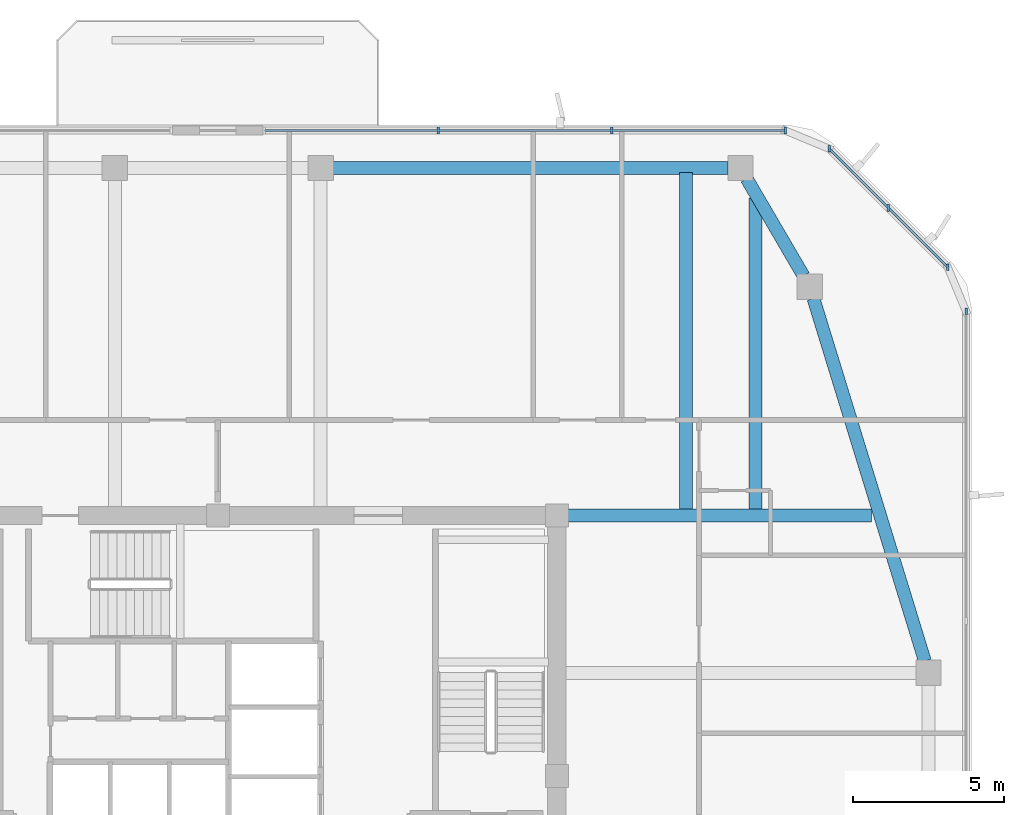
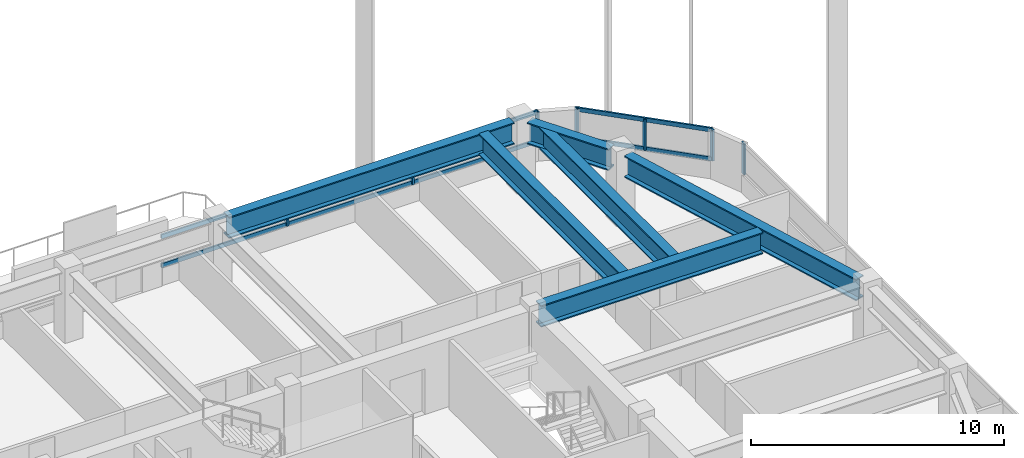
# One storey, part 5 of 13: 11 members, 6 beams, 3 elements without a shape of their own.
"""IFC4 building model written with IfcOpenShell, lengths in metres."""

from ifc_helpers import new_model, si_unit, derived_unit, direction, frame, origin, origin_2d, place, context, subcontext, project, spatial, rectangle, i_section, extrude, material, material_profile, profile_set, type_object, element, aggregate, save


model = new_model("IFC4")

# Units and contexts
model_context = context("Model", 3, precision=1e-05, world=origin(), true_north=direction((0.0, 1.0)))
body_context = subcontext(model_context, "Body", "Model", "MODEL_VIEW")
ifc_project = project(units=[si_unit("LENGTHUNIT", "METRE"), si_unit("AREAUNIT", "SQUARE_METRE"), si_unit("VOLUMEUNIT", "CUBIC_METRE"), si_unit("PLANEANGLEUNIT", "RADIAN"), si_unit("MASSUNIT", "GRAM", prefix="KILO"), derived_unit("THERMALTRANSMITTANCEUNIT", [(si_unit("POWERUNIT", "WATT"), 1), (si_unit("LENGTHUNIT", "METRE"), -2), (si_unit("THERMODYNAMICTEMPERATUREUNIT", "KELVIN"), -1)])], contexts=[model_context])

# Site, building, storey
site_placement = place(None, origin())
site = spatial("IfcSite", under=ifc_project, at=site_placement, CompositionType="ELEMENT")
building_placement = place(site_placement, origin())
building = spatial("IfcBuilding", under=site, at=building_placement, Name="Koralith Skygarden Medical Center", CompositionType="ELEMENT")
storey_placement = place(building_placement, frame((0.0, 0.0, 282.419921875)))
storey = spatial("IfcBuildingStorey", under=building, at=storey_placement, Name="L73", CompositionType="ELEMENT", Elevation=282.419921875)

# Curtain wall, member
ifc_material_1 = material(Name="Clear Laminated Glass", Category="glass")
curtain_wall_type = type_object("IfcCurtainWallType", Name="CW-6 Zone 5 Upper Clinical Curtain Wall", PredefinedType="NOTDEFINED", material=ifc_material_1)
curtain_wall_1_placement = place(storey_placement, origin())
curtain_wall_1 = element("IfcCurtainWall", 1, at=curtain_wall_1_placement, inside=storey, type_object=curtain_wall_type, Name="Curtain Wall CW-L73-E", PredefinedType="NOTDEFINED")
ifc_material_2 = material(Name="Aluminium 6063-T6", Category="aluminium")
ifc_material_profile_1 = material_profile(ifc_material_2, rectangle(XDim=0.0830078125, YDim=0.219970703125, at=origin_2d()), Name="MUL83X220")
ifc_profile_set_1 = profile_set([ifc_material_profile_1], Name="Aluminium 6063-T6")
member_type_1 = type_object("IfcMemberType", Name="CW-6 Extruded Mullion 83x220", PredefinedType="MULLION", material=ifc_profile_set_1)
member_1_placement = place(storey_placement, frame((61.719970703125, 41.2451171875, 0.85009765625), z_axis=(0.0, 0.0, 1.0), x_axis=(1.0, 0.0, 0.0)))
member_1 = element("IfcMember", 2, at=member_1_placement, type_object=member_type_1, Name="CW-L73-E Mullion 4", PredefinedType="MULLION", context=body_context, shape_type="SweptSolid", body=[
    extrude(rectangle(XDim=0.0830078125, YDim=0.219970703125, at=origin_2d()), origin(), (0.0, 0.0, 1.0), 1.5),
])
aggregate(curtain_wall_1, [member_1])

# Curtain wall, members
curtain_wall_2_placement = place(storey_placement, origin())
curtain_wall_2 = element("IfcCurtainWall", 3, at=curtain_wall_2_placement, inside=storey, type_object=curtain_wall_type, Name="Curtain Wall CW-L73-NE", PredefinedType="NOTDEFINED")
member_2_placement = place(storey_placement, frame((61.118896484375, 42.696044921875, 0.85009765625), z_axis=(0.0, 0.0, 1.0), x_axis=(1.0, 0.0, 0.0)))
member_2 = element("IfcMember", 4, at=member_2_placement, type_object=member_type_1, Name="CW-L73-NE Mullion 1", PredefinedType="MULLION", context=body_context, shape_type="SweptSolid", body=[
    extrude(rectangle(XDim=0.0830078125, YDim=0.219970703125, at=origin_2d()), origin(), (0.0, 0.0, 1.0), 1.5),
])
member_3_placement = place(storey_placement, frame((59.156982421875, 44.656982421875, 0.85009765625), z_axis=(0.0, 0.0, 1.0), x_axis=(1.0, 0.0, 0.0)))
member_3 = element("IfcMember", 5, at=member_3_placement, type_object=member_type_1, Name="CW-L73-NE Mullion 2", PredefinedType="MULLION", context=body_context, shape_type="SweptSolid", body=[
    extrude(rectangle(XDim=0.0830078125, YDim=0.219970703125, at=origin_2d()), origin(), (0.0, 0.0, 1.0), 1.5),
])
member_4_placement = place(storey_placement, frame((57.196044921875, 46.618896484375, 0.85009765625), z_axis=(0.0, 0.0, 1.0), x_axis=(1.0, 0.0, 0.0)))
member_4 = element("IfcMember", 6, at=member_4_placement, type_object=member_type_1, Name="CW-L73-NE Mullion 3", PredefinedType="MULLION", context=body_context, shape_type="SweptSolid", body=[
    extrude(rectangle(XDim=0.0830078125, YDim=0.219970703125, at=origin_2d()), origin(), (0.0, 0.0, 1.0), 1.5),
])

curtain_wall_3_placement = place(storey_placement, origin())
curtain_wall_3 = element("IfcCurtainWall", 7, at=curtain_wall_3_placement, inside=storey, type_object=curtain_wall_type, Name="Curtain Wall CW-L73-N-L", PredefinedType="NOTDEFINED")
member_5_placement = place(storey_placement, frame((55.7451171875, 47.219970703125, 0.85009765625), z_axis=(0.0, 0.0, 1.0), x_axis=(1.0, 0.0, 0.0)))
member_5 = element("IfcMember", 8, at=member_5_placement, type_object=member_type_1, Name="CW-L73-N-L Mullion 1", PredefinedType="MULLION", context=body_context, shape_type="SweptSolid", body=[
    extrude(rectangle(XDim=0.0830078125, YDim=0.219970703125, at=origin_2d()), origin(), (0.0, 0.0, 1.0), 1.5),
])
member_6_placement = place(storey_placement, frame((50.010009765625, 47.219970703125, 0.85009765625), z_axis=(0.0, 0.0, 1.0), x_axis=(1.0, 0.0, 0.0)))
member_6 = element("IfcMember", 9, at=member_6_placement, type_object=member_type_1, Name="CW-L73-N-L Mullion 2", PredefinedType="MULLION", context=body_context, shape_type="SweptSolid", body=[
    extrude(rectangle(XDim=0.0830078125, YDim=0.219970703125, at=origin_2d()), origin(), (0.0, 0.0, 1.0), 1.5),
])
member_7_placement = place(storey_placement, frame((44.27587890625, 47.219970703125, 0.85009765625), z_axis=(0.0, 0.0, 1.0), x_axis=(1.0, 0.0, 0.0)))
member_7 = element("IfcMember", 10, at=member_7_placement, type_object=member_type_1, Name="CW-L73-N-L Mullion 3", PredefinedType="MULLION", context=body_context, shape_type="SweptSolid", body=[
    extrude(rectangle(XDim=0.0830078125, YDim=0.219970703125, at=origin_2d()), origin(), (0.0, 0.0, 1.0), 1.5),
])

# Member
ifc_material_profile_2 = material_profile(ifc_material_2, rectangle(XDim=0.077880859375, YDim=0.197998046875, at=origin_2d()), Name="TRN78X198")
ifc_profile_set_2 = profile_set([ifc_material_profile_2], Name="Aluminium 6063-T6")
member_type_2 = type_object("IfcMemberType", Name="CW-6 Thermal Transom 78x198", PredefinedType="USERDEFINED", material=ifc_profile_set_2)
member_8_placement = place(storey_placement, frame((61.118896484375, 42.696044921875, 0.900146484375), z_axis=(-0.707106781187, 0.707106781187, 0.0), x_axis=(-0.707106781187, -0.707106781187, 0.0)))
member_8 = element("IfcMember", 11, at=member_8_placement, type_object=member_type_2, Name="CW-L73-NE Transom 1", ObjectType="TRANSOM", PredefinedType="USERDEFINED", context=body_context, shape_type="SweptSolid", body=[
    extrude(rectangle(XDim=0.077880859375, YDim=0.197998046875, at=origin_2d()), origin(), (0.0, 0.0, 1.0), 5.5478515625),
])

member_9_placement = place(storey_placement, frame((61.118896484375, 42.696044921875, 2.300048828125), z_axis=(-0.707106781187, 0.707106781187, 0.0), x_axis=(-0.707106781187, -0.707106781187, 0.0)))
member_9 = element("IfcMember", 12, at=member_9_placement, type_object=member_type_2, Name="CW-L73-NE Transom 2", ObjectType="TRANSOM", PredefinedType="USERDEFINED", context=body_context, shape_type="SweptSolid", body=[
    extrude(rectangle(XDim=0.077880859375, YDim=0.197998046875, at=origin_2d()), origin(), (0.0, 0.0, 1.0), 5.5478515625),
])

aggregate(curtain_wall_2, [member_2, member_3, member_4, member_8, member_9])

member_10_placement = place(storey_placement, frame((55.7451171875, 47.219970703125, 0.900146484375), z_axis=(-1.0, 0.0, 0.0), x_axis=(0.0, -1.0, 0.0)))
member_10 = element("IfcMember", 13, at=member_10_placement, type_object=member_type_2, Name="CW-L73-N-L Transom 1", ObjectType="TRANSOM", PredefinedType="USERDEFINED", context=body_context, shape_type="SweptSolid", body=[
    extrude(rectangle(XDim=0.077880859375, YDim=0.197998046875, at=origin_2d()), origin(), (0.0, 0.0, 1.0), 17.2041015625),
])

member_11_placement = place(storey_placement, frame((55.7451171875, 47.219970703125, 2.300048828125), z_axis=(-1.0, 0.0, 0.0), x_axis=(0.0, -1.0, 0.0)))
member_11 = element("IfcMember", 14, at=member_11_placement, type_object=member_type_2, Name="CW-L73-N-L Transom 2", ObjectType="TRANSOM", PredefinedType="USERDEFINED", context=body_context, shape_type="SweptSolid", body=[
    extrude(rectangle(XDim=0.077880859375, YDim=0.197998046875, at=origin_2d()), origin(), (0.0, 0.0, 1.0), 17.2041015625),
])

aggregate(curtain_wall_3, [member_5, member_6, member_7, member_10, member_11])

# Beams
ifc_material_3 = material(Name="Steel ASTM A992 Grade 50", Category="steel")
ifc_material_profile_3 = material_profile(ifc_material_3, i_section(OverallWidth=0.427001953125, OverallDepth=1.041015625, WebThickness=0.031005859375, FlangeThickness=0.055908203125, at=origin_2d()), Name="W40X397")
ifc_profile_set_3 = profile_set([ifc_material_profile_3], Name="Steel ASTM A992 Grade 50")
beam_type = type_object("IfcBeamType", Name="Crown Setback Transfer Girder W40X397", PredefinedType="USERDEFINED", material=ifc_profile_set_3)
beam_1_placement = place(storey_placement, frame((48.449951171875, 34.5, 2.799072265625), z_axis=(1.0, 0.0, 0.0), x_axis=(0.0, 1.0, 0.0)))
element("IfcBeam", 15, at=beam_1_placement, inside=storey, type_object=beam_type, Name="L73 Setback Collector Chord EN", ObjectType="TRANSFER GIRDER", PredefinedType="USERDEFINED", context=body_context, shape_type="SweptSolid", body=[
    extrude(i_section(OverallWidth=0.427001953125, OverallDepth=1.041015625, WebThickness=0.031005859375, FlangeThickness=0.055908203125, at=origin_2d()), origin(), (0.0, 0.0, 1.0), 10.150146484375),
])
beam_2_placement = place(storey_placement, frame((54.760009765625, 34.64990234375, 2.799072265625), z_axis=(0.0, 1.0, 0.0), x_axis=(-1.0, 0.0, 0.0)))
element("IfcBeam", 16, at=beam_2_placement, inside=storey, type_object=beam_type, Name="L73 Setback Transfer Girder STG-10", ObjectType="TRANSFER GIRDER", PredefinedType="USERDEFINED", context=body_context, shape_type="SweptSolid", body=[
    extrude(i_section(OverallWidth=0.427001953125, OverallDepth=1.041015625, WebThickness=0.031005859375, FlangeThickness=0.055908203125, at=origin_2d()), origin(), (0.0, 0.0, 1.0), 10.339111328125),
])
beam_3_placement = place(storey_placement, frame((52.468017578125, 34.64990234375, 2.799072265625), z_axis=(0.0, 1.0, 0.0), x_axis=(-1.0, 0.0, 0.0)))
element("IfcBeam", 17, at=beam_3_placement, inside=storey, type_object=beam_type, Name="L73 Setback Transfer Girder STG-11", ObjectType="TRANSFER GIRDER", PredefinedType="USERDEFINED", context=body_context, shape_type="SweptSolid", body=[
    extrude(i_section(OverallWidth=0.427001953125, OverallDepth=1.041015625, WebThickness=0.031005859375, FlangeThickness=0.055908203125, at=origin_2d()), origin(), (0.0, 0.0, 1.0), 11.18017578125),
])
beam_4_placement = place(storey_placement, frame((60.360107421875, 29.69189453125, 2.799072265625), z_axis=(-0.293738023424, 0.955885962652, 0.0), x_axis=(-0.955885962652, -0.293738023424, 0.0)))
element("IfcBeam", 18, at=beam_4_placement, inside=storey, type_object=beam_type, Name="L73 Perimeter Spandrel Beam SP-09", ObjectType="TRANSFER GIRDER", PredefinedType="USERDEFINED", context=body_context, shape_type="SweptSolid", body=[
    extrude(i_section(OverallWidth=0.427001953125, OverallDepth=1.041015625, WebThickness=0.031005859375, FlangeThickness=0.055908203125, at=origin_2d()), origin(), (0.0, 0.0, 1.0), 12.52880859375),
])
beam_5_placement = place(storey_placement, frame((56.35302734375, 42.4140625, 2.799072265625), z_axis=(-0.50473571007, 0.863273921175, 0.0), x_axis=(-0.863273921175, -0.50473571007, 0.0)))
element("IfcBeam", 19, at=beam_5_placement, inside=storey, type_object=beam_type, Name="L73 Perimeter Spandrel Beam SP-10", ObjectType="TRANSFER GIRDER", PredefinedType="USERDEFINED", context=body_context, shape_type="SweptSolid", body=[
    extrude(i_section(OverallWidth=0.427001953125, OverallDepth=1.041015625, WebThickness=0.031005859375, FlangeThickness=0.055908203125, at=origin_2d()), origin(), (0.0, 0.0, 1.0), 3.720703125),
])
beam_6_placement = place(storey_placement, frame((53.85791015625, 45.97998046875, 2.799072265625), z_axis=(-1.0, 0.0, 0.0), x_axis=(0.0, -1.0, 0.0)))
element("IfcBeam", 20, at=beam_6_placement, inside=storey, type_object=beam_type, Name="L73 Perimeter Spandrel Beam SP-11", ObjectType="TRANSFER GIRDER", PredefinedType="USERDEFINED", context=body_context, shape_type="SweptSolid", body=[
    extrude(i_section(OverallWidth=0.427001953125, OverallDepth=1.041015625, WebThickness=0.031005859375, FlangeThickness=0.055908203125, at=origin_2d()), origin(), (0.0, 0.0, 1.0), 13.0478515625),
])

save(model, "model.ifc")
